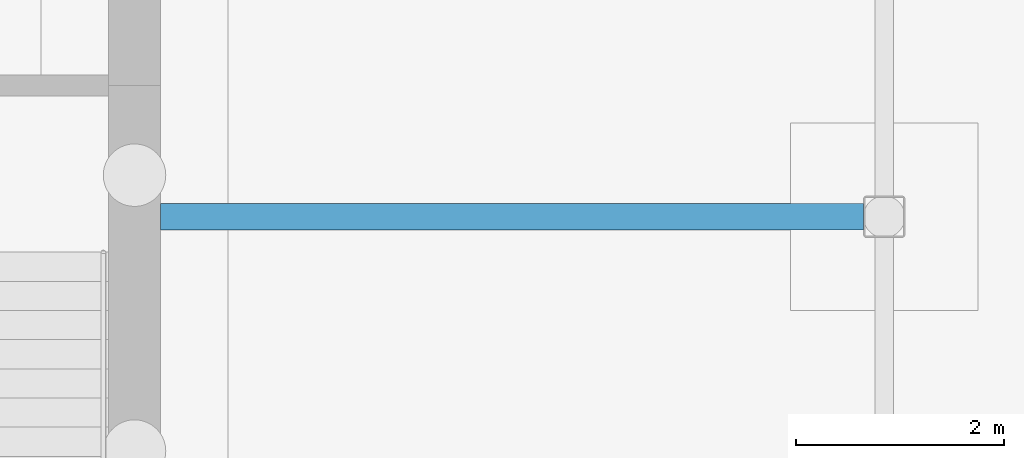
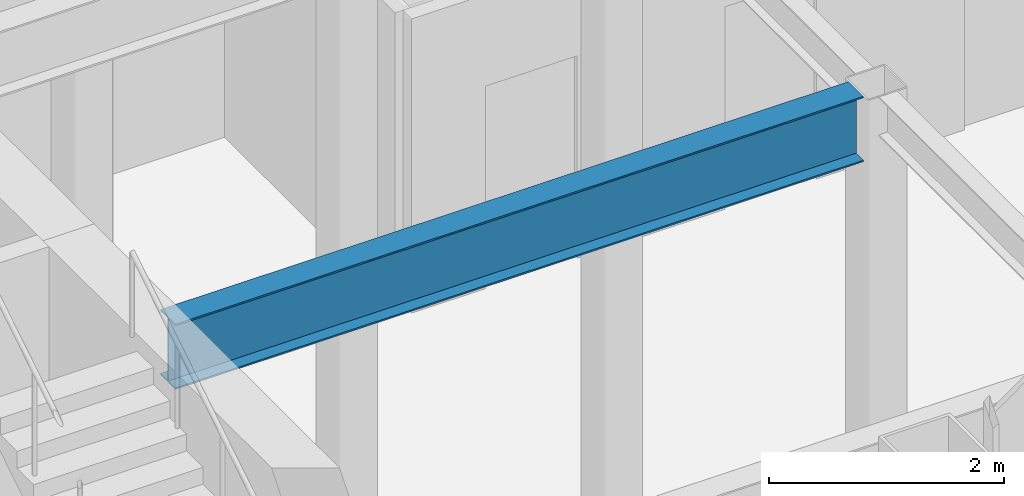
# One storey, part 16 of 58: 1 beam.
"""IFC4 building model written with IfcOpenShell, lengths in metres."""

from ifc_helpers import new_model, si_unit, direction, frame, origin, origin_2d, place, context, subcontext, project, spatial, i_section, extrude, material, material_profile, profile_set, type_object, element, save


model = new_model("IFC4")

# Units and contexts
model_context = context("Model", 3, precision=1e-05, world=origin(), true_north=direction((0.0, 1.0)))
body_context = subcontext(model_context, "Body", "Model", "MODEL_VIEW")
ifc_project = project(units=[si_unit("LENGTHUNIT", "METRE"), si_unit("AREAUNIT", "SQUARE_METRE"), si_unit("VOLUMEUNIT", "CUBIC_METRE"), si_unit("PLANEANGLEUNIT", "RADIAN"), si_unit("MASSUNIT", "GRAM", prefix="KILO")], contexts=[model_context])

# Site, building, storey
site_placement = place(None, origin())
site = spatial("IfcSite", under=ifc_project, at=site_placement, CompositionType="ELEMENT")
building_placement = place(site_placement, origin())
building = spatial("IfcBuilding", under=site, at=building_placement, Name="Baori Bourse Tower", CompositionType="ELEMENT")
storey_placement = place(building_placement, origin())
storey = spatial("IfcBuildingStorey", under=building, at=storey_placement, Name="L00", CompositionType="ELEMENT", Elevation=0.0)

# Beam
ifc_material = material(Name="Steel A992 Gr 50", Category="steel")
ifc_material_profile = material_profile(ifc_material, i_section(OverallWidth=0.25390625, OverallDepth=0.67822265625, WebThickness=0.01171875, FlangeThickness=0.016357421875, at=origin_2d()), Name="W27x84")
ifc_profile_set = profile_set([ifc_material_profile], Name="Steel A992 Gr 50")
beam_type = type_object("IfcBeamType", Name="Wing beam W27x84", PredefinedType="BEAM", material=ifc_profile_set)
beam_placement = place(storey_placement, frame((0.25, -19.699951171875, 12.060791015625), z_axis=(1.0, 0.0, 0.0), x_axis=(0.0, 1.0, 0.0)))
element("IfcBeam", 1, at=beam_placement, inside=storey, type_object=beam_type, Name="wing/L00/galbeam/003", PredefinedType="BEAM", context=body_context, shape_type="SweptSolid", body=[
    extrude(i_section(OverallWidth=0.25390625, OverallDepth=0.67822265625, WebThickness=0.01171875, FlangeThickness=0.016357421875, at=origin_2d()), origin(), (0.0, 0.0, 1.0), 6.75),
])

save(model, "model.ifc")
